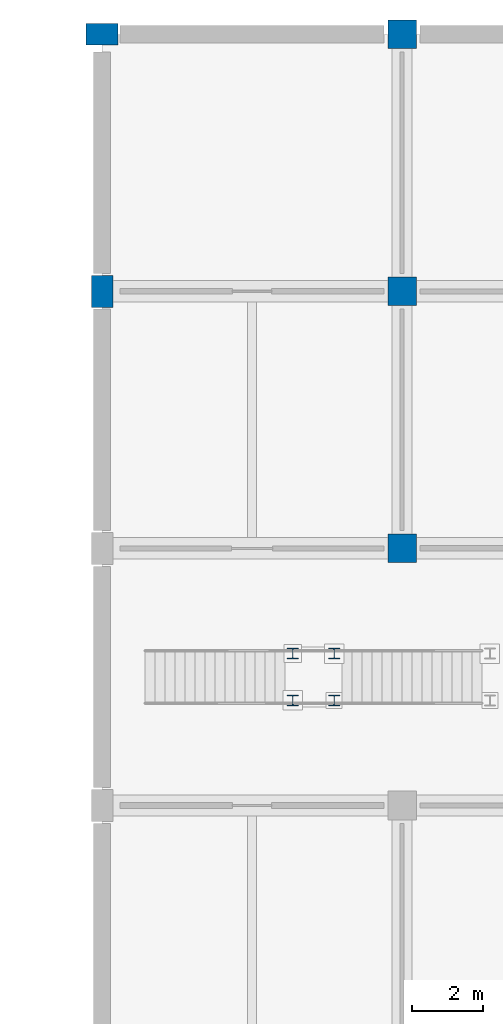
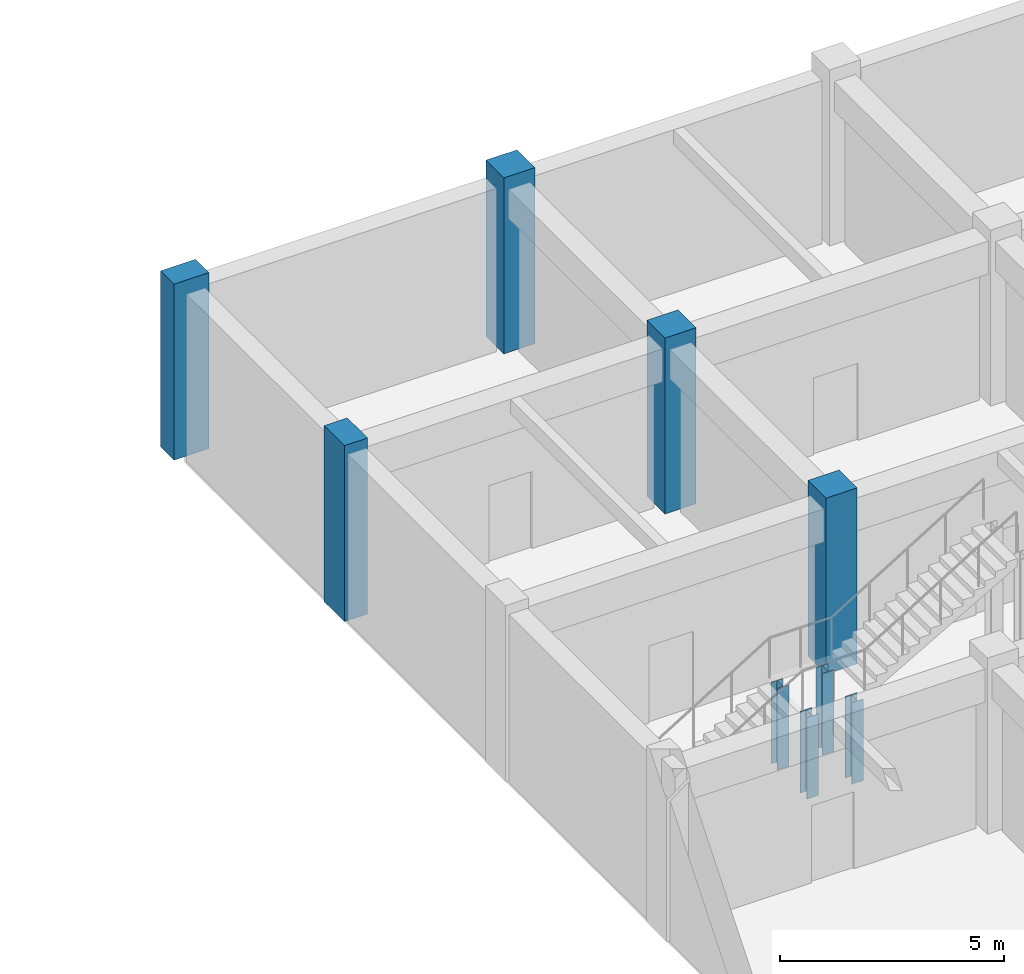
# One storey, part 4 of 32: 9 columns.
"""IFC4 building model written with IfcOpenShell, lengths in metres."""

import ifcopenshell
import ifcopenshell.guid

model = None  # the IFC model being written
_history = None  # IfcOwnerHistory: only IFC2X3 demands one
_inside = {}  # id of a spatial element -> (the spatial element, [elements in it])
_under = {}  # id of a project, library or spatial element -> (it, [spatial elements below it])
_declared = {}  # id of a project -> (the project, [libraries it declares])
_typed = {}  # id of a type object -> (the type object, [elements of that type])
_made_of = {}  # id of a material, layer set ... -> (it, [elements and type objects made of it])


def new_model(schema):
    """Start an empty IFC model of exactly this schema.

    Asked for "IFC4X3", IfcOpenShell would pick the latest addendum, in which some entities
    have other attributes; the version numbers below select the first issue.
    IFC2X3 requires an IfcOwnerHistory on every rooted entity: one is made here for all.
    """
    global model, _history
    if schema == "IFC4X3":
        model = ifcopenshell.file(schema_version=(4, 3, 0, 0))
    else:
        model = ifcopenshell.file(schema=schema)
    _inside.clear()
    _under.clear()
    _declared.clear()
    _typed.clear()
    _made_of.clear()
    _history = None
    if model.schema == "IFC2X3":
        org = make("IfcOrganization", Name="unknown")
        user = make(
            "IfcPersonAndOrganization",
            ThePerson=make("IfcPerson", FamilyName="unknown"),
            TheOrganization=org,
        )
        app = make(
            "IfcApplication",
            ApplicationDeveloper=org,
            Version="unknown",
            ApplicationFullName="unknown",
            ApplicationIdentifier="unknown",
        )
        _history = make(
            "IfcOwnerHistory",
            OwningUser=user,
            OwningApplication=app,
            ChangeAction="ADDED",
            CreationDate=0,
        )
    return model


def make(cls, **values):
    """One entity of the class cls with the attributes given. An attribute that is None is left unset."""
    return model.create_entity(
        cls, **{name: value for name, value in values.items() if value is not None}
    )


def rooted(cls, **values):
    """An entity with a GlobalId (a new one), such as an element, a storey or a relation."""
    return make(cls, GlobalId=ifcopenshell.guid.new(), OwnerHistory=_history, **values)


def si_unit(unit_type, name, prefix=None):
    """IfcSIUnit, for example si_unit("LENGTHUNIT", "METRE", prefix="MILLI")."""
    return make("IfcSIUnit", UnitType=unit_type, Prefix=prefix, Name=name)


def derived_unit(unit_type, elements):
    """IfcDerivedUnit: a product of units, each with its exponent."""
    return make(
        "IfcDerivedUnit",
        Elements=[
            make("IfcDerivedUnitElement", Unit=unit, Exponent=power)
            for unit, power in elements
        ],
        UnitType=unit_type,
    )


def assignment(units):
    """IfcUnitAssignment: the units of a project."""
    return None if units is None else make("IfcUnitAssignment", Units=units)


def point(xyz):
    """IfcCartesianPoint."""
    return None if xyz is None else make("IfcCartesianPoint", Coordinates=xyz)


def direction(xyz):
    """IfcDirection."""
    return None if xyz is None else make("IfcDirection", DirectionRatios=xyz)


def frame(location, z_axis=None, x_axis=None):
    """IfcAxis2Placement3D, a coordinate frame: its origin and axes. An axis left out is left unset."""
    return make(
        "IfcAxis2Placement3D",
        Location=point(location),
        Axis=direction(z_axis),
        RefDirection=direction(x_axis),
    )


def frame_2d(location, x_axis=None):
    """IfcAxis2Placement2D, a coordinate frame in the plane: its origin and x axis."""
    return make(
        "IfcAxis2Placement2D", Location=point(location), RefDirection=direction(x_axis)
    )


def origin():
    """The frame at (0, 0, 0) with its axes left unset."""
    return frame((0.0, 0.0, 0.0))


def origin_2d():
    """The frame at (0, 0) in the plane with its x axis left unset."""
    return frame_2d((0.0, 0.0))


def place(relative_to, where):
    """IfcLocalPlacement: puts the frame where relative to a parent placement (None: the world)."""
    return make(
        "IfcLocalPlacement", PlacementRelTo=relative_to, RelativePlacement=where
    )


def context(
    kind, dimensions, precision=None, world=None, true_north=None, identifier=None
):
    """IfcGeometricRepresentationContext, for example the 3D "Model" context."""
    return make(
        "IfcGeometricRepresentationContext",
        ContextIdentifier=identifier,
        ContextType=kind,
        CoordinateSpaceDimension=dimensions,
        Precision=precision,
        WorldCoordinateSystem=world,
        TrueNorth=true_north,
    )


def subcontext(parent, identifier, kind, view, scale=None):
    """IfcGeometricRepresentationSubContext, for example "Body" below "Model"."""
    return make(
        "IfcGeometricRepresentationSubContext",
        ContextIdentifier=identifier,
        ContextType=kind,
        ParentContext=parent,
        TargetScale=scale,
        TargetView=view,
    )


def project(units=None, contexts=None):
    """IfcProject with its units and contexts."""
    return rooted(
        "IfcProject",
        Name="project",
        RepresentationContexts=contexts,
        UnitsInContext=assignment(units),
    )


def spatial(cls, under=None, at=None, **own):
    """A site, building, storey or space (cls), placed at a placement, below another one or the project."""
    s = rooted(cls, ObjectPlacement=at, **own)
    if under is not None:
        _under.setdefault(under.id(), (under, []))[1].append(s)
    return s


def profile(cls, at=None, kind="AREA", **sizes):
    """A parametric profile (cls). Its sizes go by their IFC names, for example OverallWidth=200.0."""
    return make(cls, ProfileType=kind, Position=at, **sizes)


def rectangle(**sizes):
    """IfcRectangleProfileDef."""
    return profile("IfcRectangleProfileDef", **sizes)


def i_section(**sizes):
    """IfcIShapeProfileDef."""
    return profile("IfcIShapeProfileDef", **sizes)


def extrude(swept, where, along, depth):
    """IfcExtrudedAreaSolid: the profile swept, set in the frame where, extruded along a direction by depth."""
    return make(
        "IfcExtrudedAreaSolid",
        SweptArea=swept,
        Position=where,
        ExtrudedDirection=direction(along),
        Depth=depth,
    )


def shape(context_of_items, identifier, shape_type, items):
    """IfcShapeRepresentation: the items that make up one representation, for example the "Body"."""
    return make(
        "IfcShapeRepresentation",
        ContextOfItems=context_of_items,
        RepresentationIdentifier=identifier,
        RepresentationType=shape_type,
        Items=items,
    )


def material(Name=None, Category=None):
    """IfcMaterial."""
    return make("IfcMaterial", Name=Name, Category=Category)


def material_profile(
    of_material, cross_section, Name=None, Category=None, Priority=None
):
    """IfcMaterialProfile: a cross section and its material."""
    return make(
        "IfcMaterialProfile",
        Name=Name,
        Material=of_material,
        Profile=cross_section,
        Priority=Priority,
        Category=Category,
    )


def profile_set(profiles, Name=None, composite=None):
    """IfcMaterialProfileSet."""
    return make(
        "IfcMaterialProfileSet",
        Name=Name,
        MaterialProfiles=profiles,
        CompositeProfile=composite,
    )


def made_of(thing, what):
    """Note that an element or type object is made of a material, layer set ...; save() writes the relation."""
    if what is not None:
        _made_of.setdefault(what.id(), (what, []))[1].append(thing)
    return thing


def type_object(cls, material=None, **own):
    """A type object (cls), such as IfcWallType, which elements share."""
    return made_of(rooted(cls, **own), material)


def element(
    cls,
    number,
    at=None,
    inside=None,
    cuts=None,
    type_object=None,
    material=None,
    context=None,
    identifier="Body",
    shape_type=None,
    held_by="IfcProductDefinitionShape",
    body=None,
    shapes=None,
    **own,
):
    """One element of the class cls, such as IfcWall. Its Tag is "e" and its number.

    at: its placement. inside: the storey or other place that contains it. cuts: it is an
    opening in that element (IfcRelVoidsElement). A single representation is given by context,
    identifier, shape_type and body (its items); several are given by shapes. held_by: the class
    of the entity that holds the representations. save() writes the other relations.
    """
    e = rooted(cls, Tag="e%d" % number, ObjectPlacement=at, **own)
    if body is not None:
        shapes = [shape(context, identifier, shape_type, body)]
    if shapes is not None:
        e.Representation = make(held_by, Representations=shapes)
    if inside is not None:
        _inside.setdefault(inside.id(), (inside, []))[1].append(e)
    if cuts is not None:
        rooted(
            "IfcRelVoidsElement", RelatingBuildingElement=cuts, RelatedOpeningElement=e
        )
    if type_object is not None:
        _typed.setdefault(type_object.id(), (type_object, []))[1].append(e)
    return made_of(e, material)


def aggregate(whole, parts):
    """IfcRelAggregates: a whole, such as a stair, and the parts it consists of."""
    return rooted("IfcRelAggregates", RelatingObject=whole, RelatedObjects=parts)


def save(model, path):
    """Write the relations noted so far, then the file.

    IfcRelAggregates (storeys below a building ...), IfcRelContainedInSpatialStructure (elements
    in a storey), IfcRelDefinesByType, IfcRelAssociatesMaterial and IfcRelDeclares: one each for
    every whole, place, type object, material and project.
    """
    for whole, parts in _under.values():
        aggregate(whole, parts)
    for where, things in _inside.values():
        rooted(
            "IfcRelContainedInSpatialStructure",
            RelatedElements=things,
            RelatingStructure=where,
        )
    for kind, things in _typed.values():
        rooted("IfcRelDefinesByType", RelatedObjects=things, RelatingType=kind)
    for what, things in _made_of.values():
        rooted("IfcRelAssociatesMaterial", RelatedObjects=things, RelatingMaterial=what)
    for by, libraries in _declared.values():
        rooted("IfcRelDeclares", RelatingContext=by, RelatedDefinitions=libraries)
    model.write(path)


model = new_model("IFC4")

# Units and contexts
model_context = context("Model", 3, precision=1e-05, world=origin(), true_north=direction((0.0, 1.0)))
body_context = subcontext(model_context, "Body", "Model", "MODEL_VIEW")
ifc_project = project(units=[si_unit("LENGTHUNIT", "METRE"), si_unit("AREAUNIT", "SQUARE_METRE"), si_unit("VOLUMEUNIT", "CUBIC_METRE"), si_unit("PLANEANGLEUNIT", "RADIAN"), si_unit("MASSUNIT", "GRAM", prefix="KILO"), derived_unit("THERMALTRANSMITTANCEUNIT", [(si_unit("MASSUNIT", "GRAM", prefix="KILO"), 1), (si_unit("TIMEUNIT", "SECOND"), -3), (si_unit("THERMODYNAMICTEMPERATUREUNIT", "KELVIN"), -1)])], contexts=[model_context])

# Site, building, storey
site_placement = place(None, origin())
site = spatial("IfcSite", under=ifc_project, at=site_placement, CompositionType="ELEMENT")
building_placement = place(site_placement, origin())
building = spatial("IfcBuilding", under=site, at=building_placement, Name="Veldstrom Oceanarium and Marine Research Institute", CompositionType="ELEMENT")
storey_placement = place(building_placement, frame((0.0, 0.0, -4.800048828125)))
storey = spatial("IfcBuildingStorey", under=building, at=storey_placement, Name="B01", CompositionType="ELEMENT", Elevation=-4.800048828125)

# Columns
ifc_material_1 = material(Name="Concrete C50/60", Category="concrete")
ifc_material_profile_1 = material_profile(ifc_material_1, rectangle(XDim=0.800048828125, YDim=0.800048828125, at=origin_2d()), Name="RC-COL-800x800")
ifc_profile_set_1 = profile_set([ifc_material_profile_1], Name="Concrete C50/60")
column_type_1 = type_object("IfcColumnType", Name="STR-COL-C04", PredefinedType="COLUMN", material=ifc_profile_set_1)
for number, where, z_axis, x_axis, name in (
    (1, (126.0, 100.800048828125, 0.0), (0.0, 0.0, 1.0), (1.0, 0.0, 0.0), "Column C04 16/Q B01"),
    (2, (126.0, 108.0, 0.0), (0.0, 0.0, 1.0), (1.0, 0.0, 0.0), "Column C04 16/R B01"),
    (3, (126.0, 115.199951171875, 0.0), (0.0, 0.0, 1.0), (1.0, 0.0, 0.0), "Column C04 16/S B01"),
):
    element("IfcColumn", number, at=place(storey_placement, frame(where, z_axis=z_axis, x_axis=x_axis)), inside=storey, type_object=column_type_1, Name=name, PredefinedType="COLUMN", context=body_context, shape_type="SweptSolid", body=[
        extrude(rectangle(XDim=0.800048828125, YDim=0.800048828125, at=origin_2d()), origin(), (0.0, 0.0, 1.0), 4.800048828125),
    ])
ifc_material_2 = material(Name="Concrete C50/60", Category="concrete")
ifc_material_profile_2 = material_profile(ifc_material_2, rectangle(XDim=0.60009765625, YDim=0.89990234375, at=origin_2d()), Name="RC-COL-900x600")
ifc_profile_set_2 = profile_set([ifc_material_profile_2], Name="Concrete C50/60")
column_type_2 = type_object("IfcColumnType", Name="STR-COL-C11", PredefinedType="COLUMN", material=ifc_profile_set_2)
for number, where, z_axis, x_axis, name in (
    (4, (117.60009765625, 108.0, 0.0), (0.0, 0.0, 1.0), (1.0, 0.0, 0.0), "Column C11 15/R B01"),
    (5, (117.60009765625, 115.199951171875, 0.0), (0.0, 0.0, 1.0), (0.0, 1.0, 0.0), "Column C11 15/S B01"),
):
    element("IfcColumn", number, at=place(storey_placement, frame(where, z_axis=z_axis, x_axis=x_axis)), inside=storey, type_object=column_type_2, Name=name, PredefinedType="COLUMN", context=body_context, shape_type="SweptSolid", body=[
        extrude(rectangle(XDim=0.60009765625, YDim=0.89990234375, at=origin_2d()), origin(), (0.0, 0.0, 1.0), 4.800048828125),
    ])
ifc_material_3 = material(Name="Steel S355JR", Category="steel")
ifc_material_profile_3 = material_profile(ifc_material_3, i_section(OverallWidth=0.300048828125, OverallDepth=0.300048828125, WebThickness=0.010986328125, FlangeThickness=0.01904296875, FilletRadius=0.027099609375, at=origin_2d()), Name="HEB 300")
ifc_profile_set_3 = profile_set([ifc_material_profile_3], Name="Steel S355JR")
column_type_3 = type_object("IfcColumnType", Name="STR-COL-C16", PredefinedType="COLUMN", material=ifc_profile_set_3)
for number, where, z_axis, x_axis, name in (
    (6, (122.93994140625, 96.544921875, 0.0), (0.0, 0.0, 1.0), (1.0, 0.0, 0.0), "Gallery Stair MID Column ST5-06-B01-1"),
    (7, (124.10009765625, 96.544921875, 0.0), (0.0, 0.0, 1.0), (1.0, 0.0, 0.0), "Gallery Stair MID Column ST5-06-B01-2"),
    (8, (122.93994140625, 97.85498046875, 0.0), (0.0, 0.0, 1.0), (1.0, 0.0, 0.0), "Gallery Stair MID Column ST5-06-B01-3"),
    (9, (124.10009765625, 97.85498046875, 0.0), (0.0, 0.0, 1.0), (1.0, 0.0, 0.0), "Gallery Stair MID Column ST5-06-B01-4"),
):
    element("IfcColumn", number, at=place(storey_placement, frame(where, z_axis=z_axis, x_axis=x_axis)), inside=storey, type_object=column_type_3, Name=name, PredefinedType="COLUMN", context=body_context, shape_type="SweptSolid", body=[
        extrude(i_section(OverallWidth=0.300048828125, OverallDepth=0.300048828125, WebThickness=0.010986328125, FlangeThickness=0.01904296875, FilletRadius=0.027099609375, at=origin_2d()), origin(), (0.0, 0.0, 1.0), 2.219970703125),
    ])

save(model, "model.ifc")
